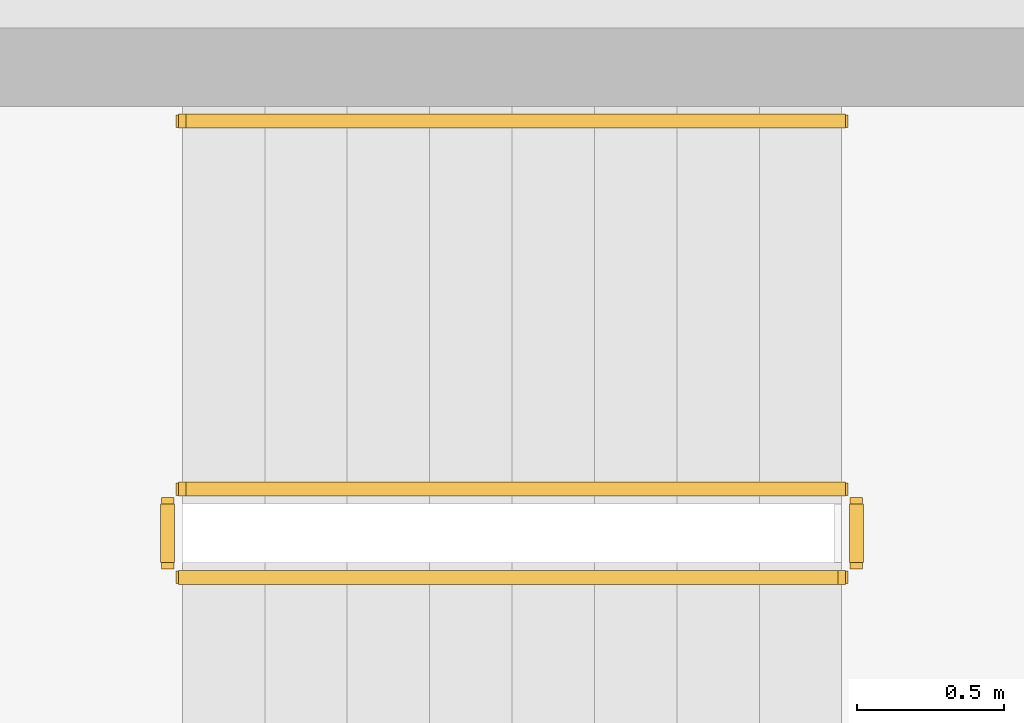
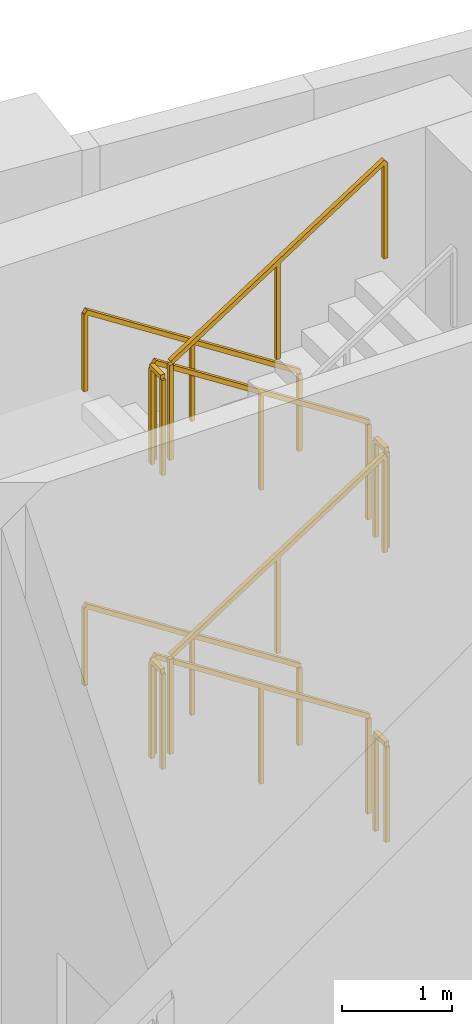
# One storey, part 18 of 18: 10 railings.
"""IFC4 building model written with IfcOpenShell, lengths in metres."""

import ifcopenshell
import ifcopenshell.guid

model = None  # the IFC model being written
_history = None  # IfcOwnerHistory: only IFC2X3 demands one
_inside = {}  # id of a spatial element -> (the spatial element, [elements in it])
_under = {}  # id of a project, library or spatial element -> (it, [spatial elements below it])
_declared = {}  # id of a project -> (the project, [libraries it declares])
_typed = {}  # id of a type object -> (the type object, [elements of that type])
_made_of = {}  # id of a material, layer set ... -> (it, [elements and type objects made of it])


def new_model(schema):
    """Start an empty IFC model of exactly this schema.

    Asked for "IFC4X3", IfcOpenShell would pick the latest addendum, in which some entities
    have other attributes; the version numbers below select the first issue.
    IFC2X3 requires an IfcOwnerHistory on every rooted entity: one is made here for all.
    """
    global model, _history
    if schema == "IFC4X3":
        model = ifcopenshell.file(schema_version=(4, 3, 0, 0))
    else:
        model = ifcopenshell.file(schema=schema)
    _inside.clear()
    _under.clear()
    _declared.clear()
    _typed.clear()
    _made_of.clear()
    _history = None
    if model.schema == "IFC2X3":
        org = make("IfcOrganization", Name="unknown")
        user = make(
            "IfcPersonAndOrganization",
            ThePerson=make("IfcPerson", FamilyName="unknown"),
            TheOrganization=org,
        )
        app = make(
            "IfcApplication",
            ApplicationDeveloper=org,
            Version="unknown",
            ApplicationFullName="unknown",
            ApplicationIdentifier="unknown",
        )
        _history = make(
            "IfcOwnerHistory",
            OwningUser=user,
            OwningApplication=app,
            ChangeAction="ADDED",
            CreationDate=0,
        )
    return model


def make(cls, **values):
    """One entity of the class cls with the attributes given. An attribute that is None is left unset."""
    return model.create_entity(
        cls, **{name: value for name, value in values.items() if value is not None}
    )


def rooted(cls, **values):
    """An entity with a GlobalId (a new one), such as an element, a storey or a relation."""
    return make(cls, GlobalId=ifcopenshell.guid.new(), OwnerHistory=_history, **values)


def si_unit(unit_type, name, prefix=None):
    """IfcSIUnit, for example si_unit("LENGTHUNIT", "METRE", prefix="MILLI")."""
    return make("IfcSIUnit", UnitType=unit_type, Prefix=prefix, Name=name)


def assignment(units):
    """IfcUnitAssignment: the units of a project."""
    return None if units is None else make("IfcUnitAssignment", Units=units)


def point(xyz):
    """IfcCartesianPoint."""
    return None if xyz is None else make("IfcCartesianPoint", Coordinates=xyz)


def direction(xyz):
    """IfcDirection."""
    return None if xyz is None else make("IfcDirection", DirectionRatios=xyz)


def frame(location, z_axis=None, x_axis=None):
    """IfcAxis2Placement3D, a coordinate frame: its origin and axes. An axis left out is left unset."""
    return make(
        "IfcAxis2Placement3D",
        Location=point(location),
        Axis=direction(z_axis),
        RefDirection=direction(x_axis),
    )


def frame_2d(location, x_axis=None):
    """IfcAxis2Placement2D, a coordinate frame in the plane: its origin and x axis."""
    return make(
        "IfcAxis2Placement2D", Location=point(location), RefDirection=direction(x_axis)
    )


def origin():
    """The frame at (0, 0, 0) with its axes left unset."""
    return frame((0.0, 0.0, 0.0))


def origin_2d():
    """The frame at (0, 0) in the plane with its x axis left unset."""
    return frame_2d((0.0, 0.0))


def place(relative_to, where):
    """IfcLocalPlacement: puts the frame where relative to a parent placement (None: the world)."""
    return make(
        "IfcLocalPlacement", PlacementRelTo=relative_to, RelativePlacement=where
    )


def context(
    kind, dimensions, precision=None, world=None, true_north=None, identifier=None
):
    """IfcGeometricRepresentationContext, for example the 3D "Model" context."""
    return make(
        "IfcGeometricRepresentationContext",
        ContextIdentifier=identifier,
        ContextType=kind,
        CoordinateSpaceDimension=dimensions,
        Precision=precision,
        WorldCoordinateSystem=world,
        TrueNorth=true_north,
    )


def subcontext(parent, identifier, kind, view, scale=None):
    """IfcGeometricRepresentationSubContext, for example "Body" below "Model"."""
    return make(
        "IfcGeometricRepresentationSubContext",
        ContextIdentifier=identifier,
        ContextType=kind,
        ParentContext=parent,
        TargetScale=scale,
        TargetView=view,
    )


def project(units=None, contexts=None):
    """IfcProject with its units and contexts."""
    return rooted(
        "IfcProject",
        Name="project",
        RepresentationContexts=contexts,
        UnitsInContext=assignment(units),
    )


def spatial(cls, under=None, at=None, **own):
    """A site, building, storey or space (cls), placed at a placement, below another one or the project."""
    s = rooted(cls, ObjectPlacement=at, **own)
    if under is not None:
        _under.setdefault(under.id(), (under, []))[1].append(s)
    return s


def profile(cls, at=None, kind="AREA", **sizes):
    """A parametric profile (cls). Its sizes go by their IFC names, for example OverallWidth=200.0."""
    return make(cls, ProfileType=kind, Position=at, **sizes)


def rectangle(**sizes):
    """IfcRectangleProfileDef."""
    return profile("IfcRectangleProfileDef", **sizes)


def extrude(swept, where, along, depth):
    """IfcExtrudedAreaSolid: the profile swept, set in the frame where, extruded along a direction by depth."""
    return make(
        "IfcExtrudedAreaSolid",
        SweptArea=swept,
        Position=where,
        ExtrudedDirection=direction(along),
        Depth=depth,
    )


def shape(context_of_items, identifier, shape_type, items):
    """IfcShapeRepresentation: the items that make up one representation, for example the "Body"."""
    return make(
        "IfcShapeRepresentation",
        ContextOfItems=context_of_items,
        RepresentationIdentifier=identifier,
        RepresentationType=shape_type,
        Items=items,
    )


def source(mapping_origin, context_of_items, identifier, shape_type, items):
    """IfcRepresentationMap: a shape defined once, which mapped items show again and again."""
    return make(
        "IfcRepresentationMap",
        MappingOrigin=mapping_origin,
        MappedRepresentation=shape(context_of_items, identifier, shape_type, items),
    )


def transform(
    local_origin,
    x_axis=None,
    y_axis=None,
    z_axis=None,
    scale=None,
    scale2=None,
    scale3=None,
    uniform=True,
):
    """IfcCartesianTransformationOperator3D, or its non-uniform kind. x_axis, y_axis, z_axis: its Axis1, 2, 3."""
    if uniform:
        return make(
            "IfcCartesianTransformationOperator3D",
            Axis1=direction(x_axis),
            Axis2=direction(y_axis),
            LocalOrigin=point(local_origin),
            Scale=scale,
            Axis3=direction(z_axis),
        )
    return make(
        "IfcCartesianTransformationOperator3DnonUniform",
        Axis1=direction(x_axis),
        Axis2=direction(y_axis),
        LocalOrigin=point(local_origin),
        Scale=scale,
        Axis3=direction(z_axis),
        Scale2=scale2,
        Scale3=scale3,
    )


def mapped(mapping_source, mapping_target):
    """IfcMappedItem: shows the shape of a source again, moved by a transform."""
    return make(
        "IfcMappedItem", MappingSource=mapping_source, MappingTarget=mapping_target
    )


def material(Name=None, Category=None):
    """IfcMaterial."""
    return make("IfcMaterial", Name=Name, Category=Category)


def made_of(thing, what):
    """Note that an element or type object is made of a material, layer set ...; save() writes the relation."""
    if what is not None:
        _made_of.setdefault(what.id(), (what, []))[1].append(thing)
    return thing


def type_object(cls, material=None, **own):
    """A type object (cls), such as IfcWallType, which elements share."""
    return made_of(rooted(cls, **own), material)


def type_shapes(of_type, sources):
    """Give a type object the sources (RepresentationMaps) that its elements show as mapped items."""
    of_type.RepresentationMaps = sources


def element(
    cls,
    number,
    at=None,
    inside=None,
    cuts=None,
    type_object=None,
    material=None,
    context=None,
    identifier="Body",
    shape_type=None,
    held_by="IfcProductDefinitionShape",
    body=None,
    shapes=None,
    **own,
):
    """One element of the class cls, such as IfcWall. Its Tag is "e" and its number.

    at: its placement. inside: the storey or other place that contains it. cuts: it is an
    opening in that element (IfcRelVoidsElement). A single representation is given by context,
    identifier, shape_type and body (its items); several are given by shapes. held_by: the class
    of the entity that holds the representations. save() writes the other relations.
    """
    e = rooted(cls, Tag="e%d" % number, ObjectPlacement=at, **own)
    if body is not None:
        shapes = [shape(context, identifier, shape_type, body)]
    if shapes is not None:
        e.Representation = make(held_by, Representations=shapes)
    if inside is not None:
        _inside.setdefault(inside.id(), (inside, []))[1].append(e)
    if cuts is not None:
        rooted(
            "IfcRelVoidsElement", RelatingBuildingElement=cuts, RelatedOpeningElement=e
        )
    if type_object is not None:
        _typed.setdefault(type_object.id(), (type_object, []))[1].append(e)
    return made_of(e, material)


def aggregate(whole, parts):
    """IfcRelAggregates: a whole, such as a stair, and the parts it consists of."""
    return rooted("IfcRelAggregates", RelatingObject=whole, RelatedObjects=parts)


def save(model, path):
    """Write the relations noted so far, then the file.

    IfcRelAggregates (storeys below a building ...), IfcRelContainedInSpatialStructure (elements
    in a storey), IfcRelDefinesByType, IfcRelAssociatesMaterial and IfcRelDeclares: one each for
    every whole, place, type object, material and project.
    """
    for whole, parts in _under.values():
        aggregate(whole, parts)
    for where, things in _inside.values():
        rooted(
            "IfcRelContainedInSpatialStructure",
            RelatedElements=things,
            RelatingStructure=where,
        )
    for kind, things in _typed.values():
        rooted("IfcRelDefinesByType", RelatedObjects=things, RelatingType=kind)
    for what, things in _made_of.values():
        rooted("IfcRelAssociatesMaterial", RelatedObjects=things, RelatingMaterial=what)
    for by, libraries in _declared.values():
        rooted("IfcRelDeclares", RelatingContext=by, RelatedDefinitions=libraries)
    model.write(path)


model = new_model("IFC4")

# Units and contexts
model_context = context("Model", 3, precision=1e-05, world=origin(), true_north=direction((0.0, 1.0)))
body_context = subcontext(model_context, "Body", "Model", "MODEL_VIEW")
ifc_project = project(units=[si_unit("LENGTHUNIT", "METRE"), si_unit("AREAUNIT", "SQUARE_METRE"), si_unit("VOLUMEUNIT", "CUBIC_METRE"), si_unit("PLANEANGLEUNIT", "RADIAN"), si_unit("MASSUNIT", "GRAM", prefix="KILO")], contexts=[model_context])

# Site, building, storey
site_placement = place(None, origin())
site = spatial("IfcSite", under=ifc_project, at=site_placement, CompositionType="ELEMENT")
building_placement = place(site_placement, origin())
building = spatial("IfcBuilding", under=site, at=building_placement, Name="Astriad Promenade Condominiums", CompositionType="ELEMENT")
storey_placement = place(building_placement, frame((0.0, 0.0, 264.300048828125)))
storey = spatial("IfcBuildingStorey", under=building, at=storey_placement, Name="L76", CompositionType="ELEMENT", Elevation=264.300048828125)

# Railings
ifc_material_1 = material(Name="Painted Galvanised Steel Guardrail", Category="steel")
railing_type_1 = type_object("IfcRailingType", Name="GRD-STAIR-1100", PredefinedType="GUARDRAIL", material=ifc_material_1)
shared_shape_1 = source(origin(), body_context, "Body", "SweptSolid", [
    extrude(rectangle(XDim=0.048095703125, YDim=0.048095703125, at=origin_2d()), frame((0.0, 0.0, 1.076171875), z_axis=(0.840394893359, 0.0, 0.541974559565), x_axis=(0.0, 1.0, 0.0)), (0.0, 0.0, 1.0), 2.665283203125),
    extrude(rectangle(XDim=0.0419921875, YDim=0.0419921875, at=origin_2d()), origin(), (0.0, 0.0, 1.0), 1.052001953125),
    extrude(rectangle(XDim=0.0419921875, YDim=0.0419921875, at=origin_2d()), frame((1.1201171875, 0.0, 0.72216796875)), (0.0, 0.0, 1.0), 1.052001953125),
    extrude(rectangle(XDim=0.0419921875, YDim=0.0419921875, at=origin_2d()), frame((2.239990234375, 0.0, 1.444580078125)), (0.0, 0.0, 1.0), 1.052001953125),
])
for number, where, name in (
    (1, (41.610107421875, 22.0, 1.805419921875), "L76 ST-2 stair guard 3"),
    (2, (41.610107421875, 22.0, 5.055419921875), "L76 ST-2 stair guard 7"),
):
    element("IfcRailing", number, at=place(storey_placement, frame(where)), inside=storey, type_object=railing_type_1, Name=name, PredefinedType="GUARDRAIL", context=body_context, shape_type="MappedRepresentation", body=[
        mapped(shared_shape_1, transform((0.0, 0.0, 0.0), scale=1.0)),
    ])
shared_shape_2 = source(origin(), body_context, "Body", "SweptSolid", [
    extrude(rectangle(XDim=0.048095703125, YDim=0.048095703125, at=origin_2d()), frame((0.0, 0.0, 1.076171875), z_axis=(-0.840394893359, 0.0, 0.541974559565), x_axis=(0.0, -1.0, 0.0)), (0.0, 0.0, 1.0), 2.665283203125),
    extrude(rectangle(XDim=0.0419921875, YDim=0.0419921875, at=origin_2d()), origin(), (0.0, 0.0, 1.0), 1.052001953125),
    extrude(rectangle(XDim=0.0419921875, YDim=0.0419921875, at=origin_2d()), frame((-1.1201171875, 0.0, 0.72216796875)), (0.0, 0.0, 1.0), 1.052001953125),
    extrude(rectangle(XDim=0.0419921875, YDim=0.0419921875, at=origin_2d()), frame((-2.239990234375, 0.0, 1.444580078125)), (0.0, 0.0, 1.0), 1.052001953125),
])
for number, where, name in (
    (3, (43.85009765625, 22.300048828125, 0.180419921875), "L76 ST-2 stair guard 1"),
    (4, (43.85009765625, 22.300048828125, 3.430419921875), "L76 ST-2 stair guard 5"),
):
    element("IfcRailing", number, at=place(storey_placement, frame(where)), inside=storey, type_object=railing_type_1, Name=name, PredefinedType="GUARDRAIL", context=body_context, shape_type="MappedRepresentation", body=[
        mapped(shared_shape_2, transform((0.0, 0.0, 0.0), scale=1.0)),
    ])
ifc_material_2 = material(Name="Brushed Stainless Steel Handrail", Category="steel")
railing_type_2 = type_object("IfcRailingType", Name="HRL-STAIR-920", PredefinedType="HANDRAIL", material=ifc_material_2)
shared_shape_3 = source(origin(), body_context, "Body", "SweptSolid", [
    extrude(rectangle(XDim=0.048095703125, YDim=0.048095703125, at=origin_2d()), frame((0.0, 0.0, 0.8759765625), z_axis=(-0.840394893359, 0.0, 0.541974559565), x_axis=(0.0, -1.0, 0.0)), (0.0, 0.0, 1.0), 2.665283203125),
    extrude(rectangle(XDim=0.0419921875, YDim=0.0419921875, at=origin_2d()), origin(), (0.0, 0.0, 1.0), 0.851806640625),
    extrude(rectangle(XDim=0.0419921875, YDim=0.0419921875, at=origin_2d()), frame((-1.1201171875, 0.0, 0.72216796875)), (0.0, 0.0, 1.0), 0.851806640625),
    extrude(rectangle(XDim=0.0419921875, YDim=0.0419921875, at=origin_2d()), frame((-2.239990234375, 0.0, 1.444580078125)), (0.0, 0.0, 1.0), 0.851806640625),
])
type_shapes(railing_type_2, [shared_shape_3])
for number, where, name in (
    (5, (43.85009765625, 23.550048828125, 0.180419921875), "L76 ST-2 stair handrail 1"),
    (6, (43.85009765625, 23.550048828125, 3.430419921875), "L76 ST-2 stair handrail 3"),
):
    element("IfcRailing", number, at=place(storey_placement, frame(where)), inside=storey, type_object=railing_type_2, Name=name, PredefinedType="HANDRAIL", context=body_context, shape_type="MappedRepresentation", body=[
        mapped(shared_shape_3, transform((0.0, 0.0, 0.0), scale=1.0)),
    ])
shared_shape_4 = source(origin(), body_context, "Body", "SweptSolid", [
    extrude(rectangle(XDim=0.048095703125, YDim=0.048095703125, at=origin_2d()), frame((0.0, 0.0, 1.076171875), z_axis=(0.0, -1.0, 0.0), x_axis=(1.0, 0.0, 0.0)), (0.0, 0.0, 1.0), 0.199951171875),
    extrude(rectangle(XDim=0.0419921875, YDim=0.0419921875, at=origin_2d()), origin(), (0.0, 0.0, 1.0), 1.052001953125),
    extrude(rectangle(XDim=0.0419921875, YDim=0.0419921875, at=origin_2d()), frame((0.0, -0.199951171875, 0.0)), (0.0, 0.0, 1.0), 1.052001953125),
])
type_shapes(railing_type_1, [shared_shape_1, shared_shape_2, shared_shape_4])
for number, where, name in (
    (7, (41.56005859375, 22.25, 1.625), "L76 ST-2 stair guard 2"),
    (8, (43.89990234375, 22.25, 3.25), "L76 ST-2 stair guard 4"),
    (9, (41.56005859375, 22.25, 4.875), "L76 ST-2 stair guard 6"),
    (10, (43.89990234375, 22.25, 0.0), "L76 ST-2 stair guard 8"),
):
    element("IfcRailing", number, at=place(storey_placement, frame(where)), inside=storey, type_object=railing_type_1, Name=name, PredefinedType="GUARDRAIL", context=body_context, shape_type="MappedRepresentation", body=[
        mapped(shared_shape_4, transform((0.0, 0.0, 0.0), scale=1.0)),
    ])

save(model, "model.ifc")
